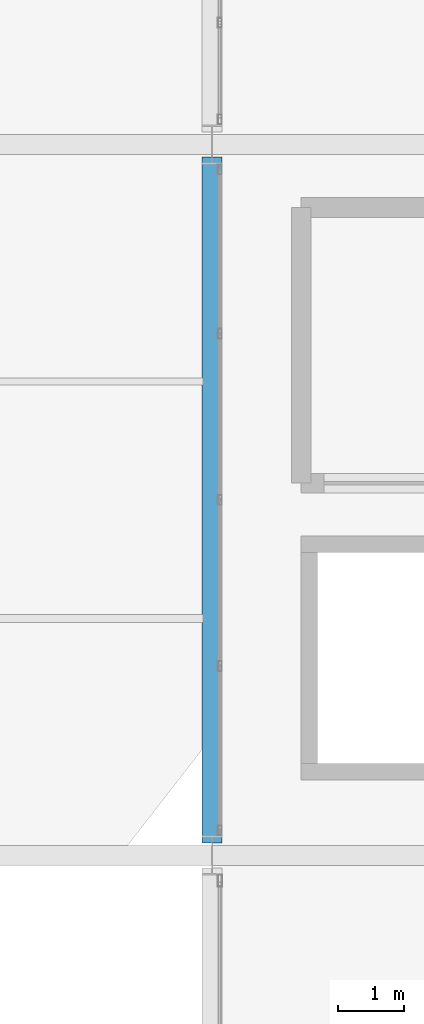
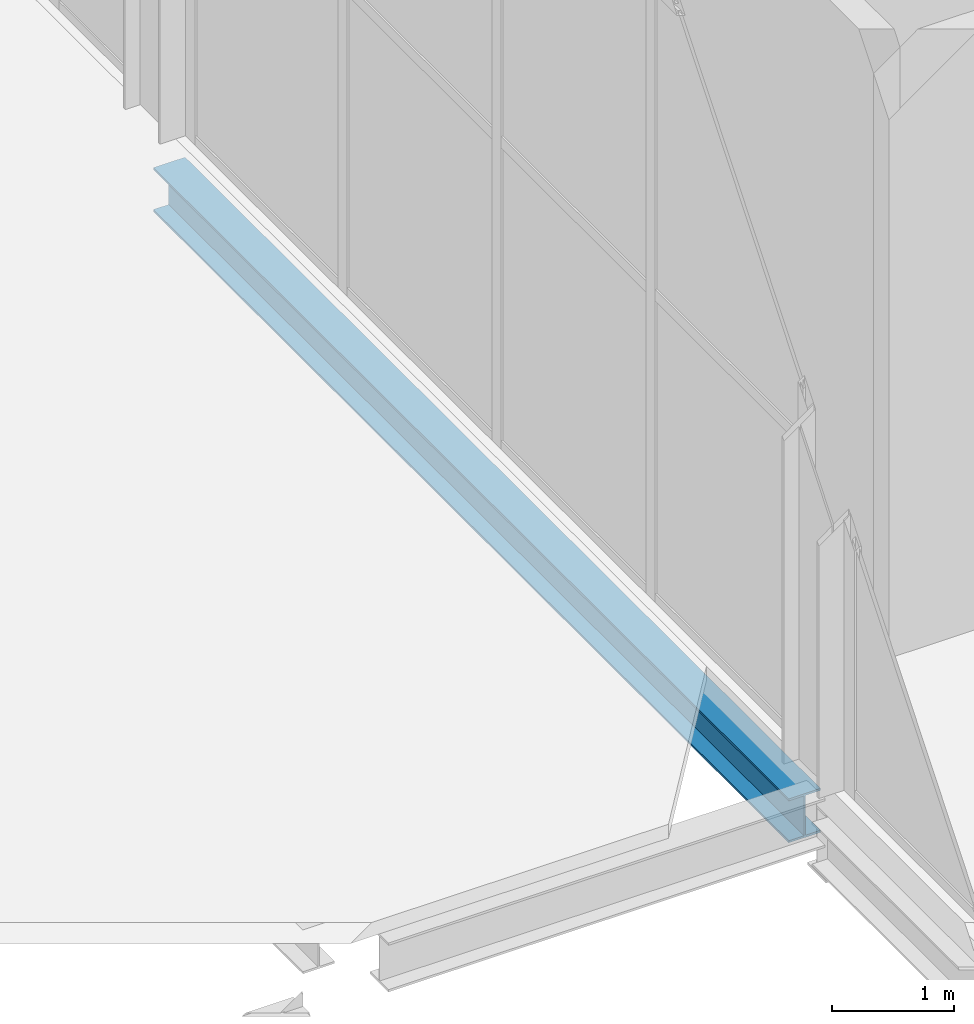
# One storey, part 86 of 191: 1 beam.
"""IFC4 building model written with IfcOpenShell, lengths in metres."""

from ifc_helpers import new_model, si_unit, direction, frame, origin, origin_2d, place, context, subcontext, project, spatial, i_section, extrude, material, material_profile, profile_set, type_object, element, save


model = new_model("IFC4")

# Units and contexts
model_context = context("Model", 3, precision=1e-05, world=origin(), true_north=direction((0.0, 1.0)))
body_context = subcontext(model_context, "Body", "Model", "MODEL_VIEW")
ifc_project = project(units=[si_unit("LENGTHUNIT", "METRE"), si_unit("AREAUNIT", "SQUARE_METRE"), si_unit("VOLUMEUNIT", "CUBIC_METRE"), si_unit("PLANEANGLEUNIT", "RADIAN"), si_unit("MASSUNIT", "GRAM", prefix="KILO")], contexts=[model_context])

# Site, building, storey
site_placement = place(None, origin())
site = spatial("IfcSite", under=ifc_project, at=site_placement, CompositionType="ELEMENT")
building_placement = place(site_placement, origin())
building = spatial("IfcBuilding", under=site, at=building_placement, Name="Tamarisk Ironworks Central Station", CompositionType="ELEMENT")
storey_placement = place(building_placement, frame((0.0, 0.0, 6.60009765625)))
storey = spatial("IfcBuildingStorey", under=building, at=storey_placement, Name="L01", CompositionType="ELEMENT", Elevation=6.60009765625)

# Beam
ifc_material = material(Name="Structural steel S355J2", Category="steel")
ifc_material_profile = material_profile(ifc_material, i_section(OverallWidth=0.300048828125, OverallDepth=0.43994140625, WebThickness=0.011474609375, FlangeThickness=0.02099609375, at=origin_2d()), Name="HEA 450")
ifc_profile_set = profile_set([ifc_material_profile], Name="Structural steel S355J2")
beam_type = type_object("IfcBeamType", Name="BM-G06", PredefinedType="BEAM", material=ifc_profile_set)
beam_placement = place(storey_placement, frame((54.0, 90.19140625, -0.52001953125), z_axis=(0.0, 1.0, 0.0), x_axis=(-1.0, 0.0, 0.0)))
element("IfcBeam", 1, at=beam_placement, inside=storey, type_object=beam_type, Name="L01 primary girder Y-0213", PredefinedType="BEAM", context=body_context, shape_type="SweptSolid", body=[
    extrude(i_section(OverallWidth=0.300048828125, OverallDepth=0.43994140625, WebThickness=0.011474609375, FlangeThickness=0.02099609375, at=origin_2d()), origin(), (0.0, 0.0, 1.0), 10.4169921875),
])

save(model, "model.ifc")
